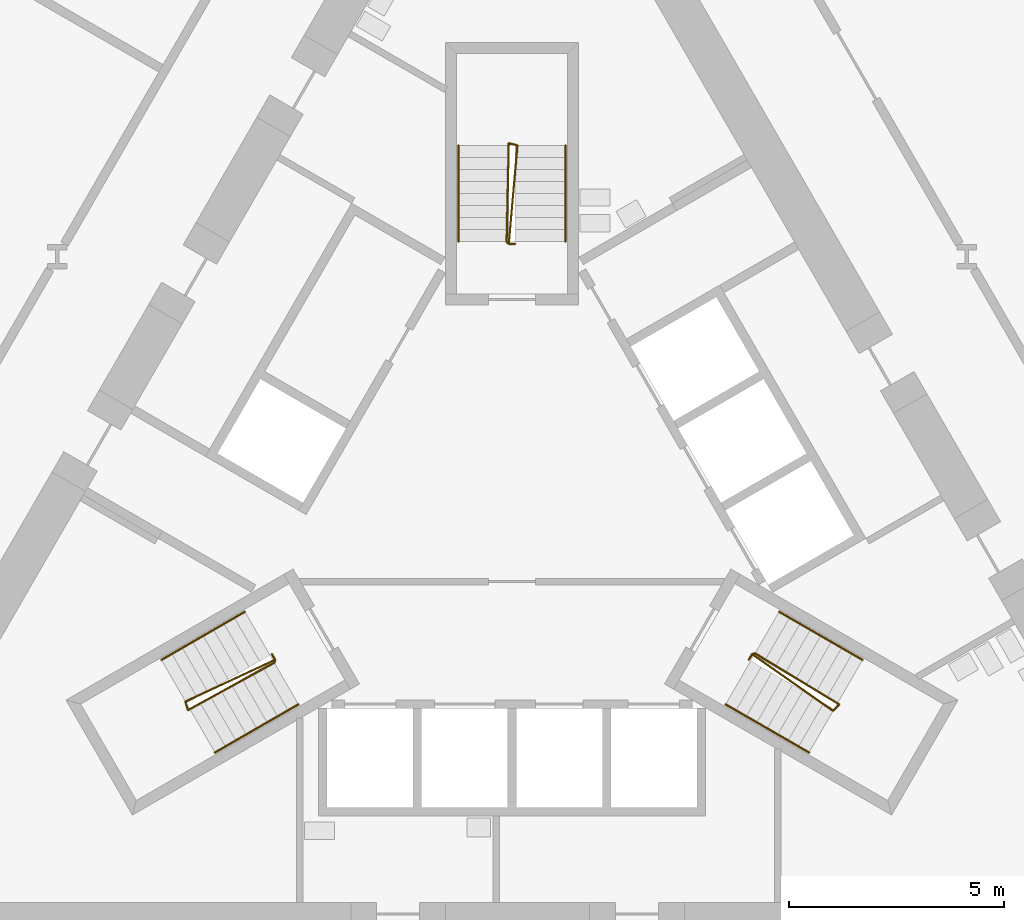
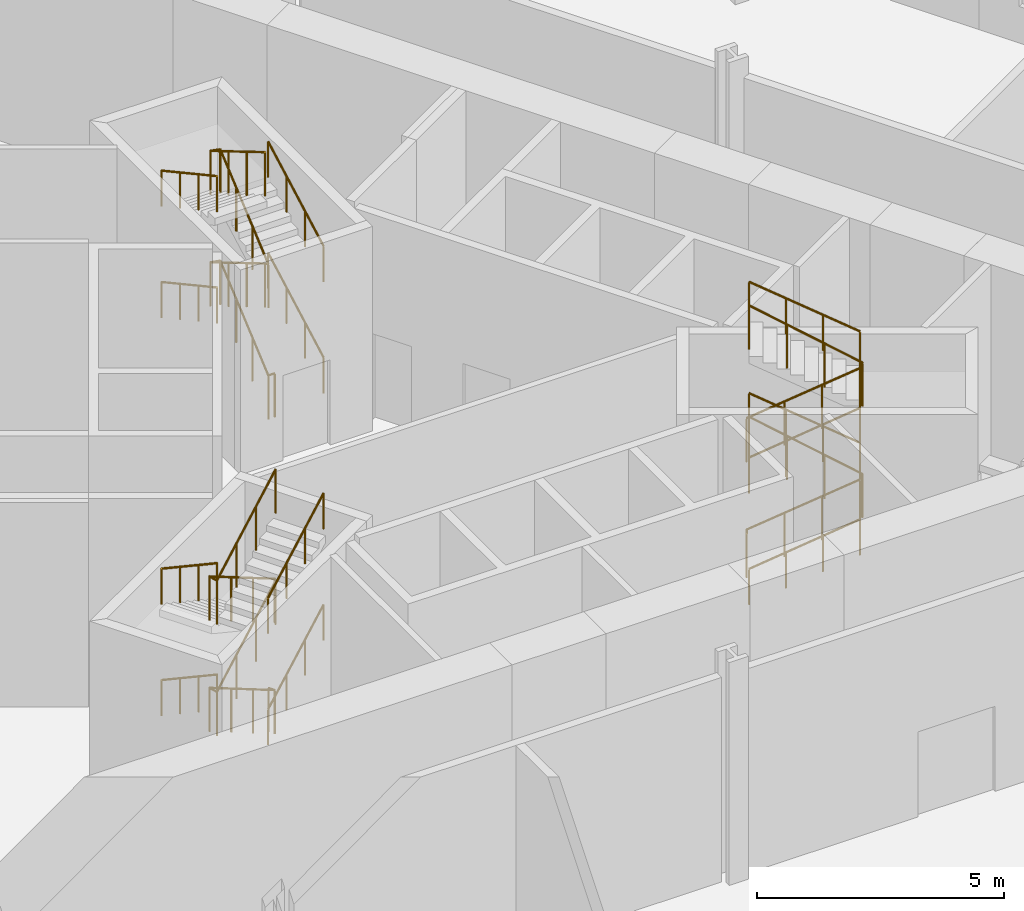
# One storey, part 7 of 9: 15 railings.
"""IFC4 building model written with IfcOpenShell, lengths in metres."""

import ifcopenshell
import ifcopenshell.guid

model = None  # the IFC model being written
_history = None  # IfcOwnerHistory: only IFC2X3 demands one
_inside = {}  # id of a spatial element -> (the spatial element, [elements in it])
_under = {}  # id of a project, library or spatial element -> (it, [spatial elements below it])
_declared = {}  # id of a project -> (the project, [libraries it declares])
_typed = {}  # id of a type object -> (the type object, [elements of that type])
_made_of = {}  # id of a material, layer set ... -> (it, [elements and type objects made of it])


def new_model(schema):
    """Start an empty IFC model of exactly this schema.

    Asked for "IFC4X3", IfcOpenShell would pick the latest addendum, in which some entities
    have other attributes; the version numbers below select the first issue.
    IFC2X3 requires an IfcOwnerHistory on every rooted entity: one is made here for all.
    """
    global model, _history
    if schema == "IFC4X3":
        model = ifcopenshell.file(schema_version=(4, 3, 0, 0))
    else:
        model = ifcopenshell.file(schema=schema)
    _inside.clear()
    _under.clear()
    _declared.clear()
    _typed.clear()
    _made_of.clear()
    _history = None
    if model.schema == "IFC2X3":
        org = make("IfcOrganization", Name="unknown")
        user = make(
            "IfcPersonAndOrganization",
            ThePerson=make("IfcPerson", FamilyName="unknown"),
            TheOrganization=org,
        )
        app = make(
            "IfcApplication",
            ApplicationDeveloper=org,
            Version="unknown",
            ApplicationFullName="unknown",
            ApplicationIdentifier="unknown",
        )
        _history = make(
            "IfcOwnerHistory",
            OwningUser=user,
            OwningApplication=app,
            ChangeAction="ADDED",
            CreationDate=0,
        )
    return model


def make(cls, **values):
    """One entity of the class cls with the attributes given. An attribute that is None is left unset."""
    return model.create_entity(
        cls, **{name: value for name, value in values.items() if value is not None}
    )


def rooted(cls, **values):
    """An entity with a GlobalId (a new one), such as an element, a storey or a relation."""
    return make(cls, GlobalId=ifcopenshell.guid.new(), OwnerHistory=_history, **values)


def si_unit(unit_type, name, prefix=None):
    """IfcSIUnit, for example si_unit("LENGTHUNIT", "METRE", prefix="MILLI")."""
    return make("IfcSIUnit", UnitType=unit_type, Prefix=prefix, Name=name)


def assignment(units):
    """IfcUnitAssignment: the units of a project."""
    return None if units is None else make("IfcUnitAssignment", Units=units)


def point(xyz):
    """IfcCartesianPoint."""
    return None if xyz is None else make("IfcCartesianPoint", Coordinates=xyz)


def direction(xyz):
    """IfcDirection."""
    return None if xyz is None else make("IfcDirection", DirectionRatios=xyz)


def frame(location, z_axis=None, x_axis=None):
    """IfcAxis2Placement3D, a coordinate frame: its origin and axes. An axis left out is left unset."""
    return make(
        "IfcAxis2Placement3D",
        Location=point(location),
        Axis=direction(z_axis),
        RefDirection=direction(x_axis),
    )


def frame_2d(location, x_axis=None):
    """IfcAxis2Placement2D, a coordinate frame in the plane: its origin and x axis."""
    return make(
        "IfcAxis2Placement2D", Location=point(location), RefDirection=direction(x_axis)
    )


def origin():
    """The frame at (0, 0, 0) with its axes left unset."""
    return frame((0.0, 0.0, 0.0))


def origin_2d():
    """The frame at (0, 0) in the plane with its x axis left unset."""
    return frame_2d((0.0, 0.0))


def place(relative_to, where):
    """IfcLocalPlacement: puts the frame where relative to a parent placement (None: the world)."""
    return make(
        "IfcLocalPlacement", PlacementRelTo=relative_to, RelativePlacement=where
    )


def context(
    kind, dimensions, precision=None, world=None, true_north=None, identifier=None
):
    """IfcGeometricRepresentationContext, for example the 3D "Model" context."""
    return make(
        "IfcGeometricRepresentationContext",
        ContextIdentifier=identifier,
        ContextType=kind,
        CoordinateSpaceDimension=dimensions,
        Precision=precision,
        WorldCoordinateSystem=world,
        TrueNorth=true_north,
    )


def subcontext(parent, identifier, kind, view, scale=None):
    """IfcGeometricRepresentationSubContext, for example "Body" below "Model"."""
    return make(
        "IfcGeometricRepresentationSubContext",
        ContextIdentifier=identifier,
        ContextType=kind,
        ParentContext=parent,
        TargetScale=scale,
        TargetView=view,
    )


def project(units=None, contexts=None):
    """IfcProject with its units and contexts."""
    return rooted(
        "IfcProject",
        Name="project",
        RepresentationContexts=contexts,
        UnitsInContext=assignment(units),
    )


def spatial(cls, under=None, at=None, **own):
    """A site, building, storey or space (cls), placed at a placement, below another one or the project."""
    s = rooted(cls, ObjectPlacement=at, **own)
    if under is not None:
        _under.setdefault(under.id(), (under, []))[1].append(s)
    return s


def profile(cls, at=None, kind="AREA", **sizes):
    """A parametric profile (cls). Its sizes go by their IFC names, for example OverallWidth=200.0."""
    return make(cls, ProfileType=kind, Position=at, **sizes)


def circle(**sizes):
    """IfcCircleProfileDef."""
    return profile("IfcCircleProfileDef", **sizes)


def extrude(swept, where, along, depth):
    """IfcExtrudedAreaSolid: the profile swept, set in the frame where, extruded along a direction by depth."""
    return make(
        "IfcExtrudedAreaSolid",
        SweptArea=swept,
        Position=where,
        ExtrudedDirection=direction(along),
        Depth=depth,
    )


def shape(context_of_items, identifier, shape_type, items):
    """IfcShapeRepresentation: the items that make up one representation, for example the "Body"."""
    return make(
        "IfcShapeRepresentation",
        ContextOfItems=context_of_items,
        RepresentationIdentifier=identifier,
        RepresentationType=shape_type,
        Items=items,
    )


def material(Name=None, Category=None):
    """IfcMaterial."""
    return make("IfcMaterial", Name=Name, Category=Category)


def made_of(thing, what):
    """Note that an element or type object is made of a material, layer set ...; save() writes the relation."""
    if what is not None:
        _made_of.setdefault(what.id(), (what, []))[1].append(thing)
    return thing


def type_object(cls, material=None, **own):
    """A type object (cls), such as IfcWallType, which elements share."""
    return made_of(rooted(cls, **own), material)


def element(
    cls,
    number,
    at=None,
    inside=None,
    cuts=None,
    type_object=None,
    material=None,
    context=None,
    identifier="Body",
    shape_type=None,
    held_by="IfcProductDefinitionShape",
    body=None,
    shapes=None,
    **own,
):
    """One element of the class cls, such as IfcWall. Its Tag is "e" and its number.

    at: its placement. inside: the storey or other place that contains it. cuts: it is an
    opening in that element (IfcRelVoidsElement). A single representation is given by context,
    identifier, shape_type and body (its items); several are given by shapes. held_by: the class
    of the entity that holds the representations. save() writes the other relations.
    """
    e = rooted(cls, Tag="e%d" % number, ObjectPlacement=at, **own)
    if body is not None:
        shapes = [shape(context, identifier, shape_type, body)]
    if shapes is not None:
        e.Representation = make(held_by, Representations=shapes)
    if inside is not None:
        _inside.setdefault(inside.id(), (inside, []))[1].append(e)
    if cuts is not None:
        rooted(
            "IfcRelVoidsElement", RelatingBuildingElement=cuts, RelatedOpeningElement=e
        )
    if type_object is not None:
        _typed.setdefault(type_object.id(), (type_object, []))[1].append(e)
    return made_of(e, material)


def aggregate(whole, parts):
    """IfcRelAggregates: a whole, such as a stair, and the parts it consists of."""
    return rooted("IfcRelAggregates", RelatingObject=whole, RelatedObjects=parts)


def save(model, path):
    """Write the relations noted so far, then the file.

    IfcRelAggregates (storeys below a building ...), IfcRelContainedInSpatialStructure (elements
    in a storey), IfcRelDefinesByType, IfcRelAssociatesMaterial and IfcRelDeclares: one each for
    every whole, place, type object, material and project.
    """
    for whole, parts in _under.values():
        aggregate(whole, parts)
    for where, things in _inside.values():
        rooted(
            "IfcRelContainedInSpatialStructure",
            RelatedElements=things,
            RelatingStructure=where,
        )
    for kind, things in _typed.values():
        rooted("IfcRelDefinesByType", RelatedObjects=things, RelatingType=kind)
    for what, things in _made_of.values():
        rooted("IfcRelAssociatesMaterial", RelatedObjects=things, RelatingMaterial=what)
    for by, libraries in _declared.values():
        rooted("IfcRelDeclares", RelatingContext=by, RelatedDefinitions=libraries)
    model.write(path)


model = new_model("IFC4")

# Units and contexts
model_context = context("Model", 3, precision=1e-05, world=origin(), true_north=direction((0.0, 1.0)))
body_context = subcontext(model_context, "Body", "Model", "MODEL_VIEW")
ifc_project = project(units=[si_unit("LENGTHUNIT", "METRE"), si_unit("AREAUNIT", "SQUARE_METRE"), si_unit("VOLUMEUNIT", "CUBIC_METRE"), si_unit("PLANEANGLEUNIT", "RADIAN"), si_unit("MASSUNIT", "GRAM", prefix="KILO")], contexts=[model_context])

# Site, building, storey
site_placement = place(None, origin())
site = spatial("IfcSite", under=ifc_project, at=site_placement, CompositionType="ELEMENT")
building_placement = place(site_placement, origin())
building = spatial("IfcBuilding", under=site, at=building_placement, Name="Cormorant Prow Tower", CompositionType="ELEMENT")
storey_placement = place(building_placement, frame((0.0, 0.0, 15.5)))
storey = spatial("IfcBuildingStorey", under=building, at=storey_placement, Name="L02", CompositionType="ELEMENT", Elevation=15.5)

# Railings
ifc_material_1 = material(Name="Stainless steel", Category="steel")
railing_type_1 = type_object("IfcRailingType", Name="Stair guard 1100", PredefinedType="GUARDRAIL", material=ifc_material_1)
railing_1_placement = place(storey_placement, frame((-5.585205078125, -3.137939453125, 0.0)))
element("IfcRailing", 1, at=railing_1_placement, inside=storey, type_object=railing_type_1, Name="L02 ST1 stair guard 1", PredefinedType="GUARDRAIL", context=body_context, shape_type="SweptSolid", body=[
    extrude(circle(Radius=0.02392578125, at=origin_2d()), frame((0.0, 0.0, 1.076171875), z_axis=(0.501036270542, -0.865426285481, 0.0), x_axis=(0.865426285481, 0.501036270542, 0.0)), (0.0, 0.0, 1.0), 0.150146484375),
    extrude(circle(Radius=0.02392578125, at=origin_2d()), frame((0.0751953125, -0.1298828125, 1.076171875), z_axis=(-0.777722750483, -0.362840064417, 0.513317066767), x_axis=(0.422792438952, -0.906226546491, 0.0)), (0.0, 0.0, 1.0), 2.6787109375),
    extrude(circle(Radius=0.02392578125, at=origin_2d()), frame((-2.008056640625, -1.101806640625, 2.451171875), z_axis=(0.275034262293, -0.961434425515, 0.0), x_axis=(0.961434425515, 0.275034262293, 0.0)), (0.0, 0.0, 1.0), 0.2060546875),
    extrude(circle(Radius=0.02392578125, at=origin_2d()), frame((-1.951416015625, -1.2998046875, 2.451171875), z_axis=(0.751727878227, 0.412326305198, 0.514676806489), x_axis=(-0.480911908544, 0.87676891837, 0.0)), (0.0, 0.0, 1.0), 2.671630859375),
    extrude(circle(Radius=0.02392578125, at=origin_2d()), frame((0.056884765625, -0.1982421875, 3.826171875), z_axis=(0.258736085224, 0.965948051503, 0.0), x_axis=(-0.965948051503, 0.258736085224, 0.0)), (0.0, 0.0, 1.0), 0.07080078125),
    extrude(circle(Radius=0.02392578125, at=origin_2d()), frame((0.0751953125, -0.1298828125, 3.826171875), z_axis=(-0.777722750483, -0.362840064417, 0.513317066767), x_axis=(0.422792438952, -0.906226546491, 0.0)), (0.0, 0.0, 1.0), 2.6787109375),
    extrude(circle(Radius=0.02392578125, at=origin_2d()), frame((-2.008056640625, -1.101806640625, 5.201171875), z_axis=(0.275034262293, -0.961434425515, 0.0), x_axis=(0.961434425515, 0.275034262293, 0.0)), (0.0, 0.0, 1.0), 0.2060546875),
    extrude(circle(Radius=0.02392578125, at=origin_2d()), frame((-1.951416015625, -1.2998046875, 5.201171875), z_axis=(0.751727878227, 0.412326305198, 0.514676806489), x_axis=(-0.480911908544, 0.87676891837, 0.0)), (0.0, 0.0, 1.0), 2.671630859375),
    extrude(circle(Radius=0.02099609375, at=origin_2d()), origin(), (0.0, 0.0, 1.0), 1.052001953125),
    extrude(circle(Radius=0.02099609375, at=origin_2d()), frame((0.0751953125, -0.1298828125, 0.0)), (0.0, 0.0, 1.0), 1.052001953125),
    extrude(circle(Radius=0.02099609375, at=origin_2d()), frame((-0.619140625, -0.453857421875, 0.458251953125)), (0.0, 0.0, 1.0), 1.052001953125),
    extrude(circle(Radius=0.02099609375, at=origin_2d()), frame((-1.313720703125, -0.77783203125, 0.916748046875)), (0.0, 0.0, 1.0), 1.052001953125),
    extrude(circle(Radius=0.02099609375, at=origin_2d()), frame((-2.008056640625, -1.101806640625, 1.375)), (0.0, 0.0, 1.0), 1.052001953125),
    extrude(circle(Radius=0.02099609375, at=origin_2d()), frame((-1.951416015625, -1.2998046875, 1.375)), (0.0, 0.0, 1.0), 1.052001953125),
    extrude(circle(Radius=0.02099609375, at=origin_2d()), frame((-1.281982421875, -0.9326171875, 1.833251953125)), (0.0, 0.0, 1.0), 1.052001953125),
    extrude(circle(Radius=0.02099609375, at=origin_2d()), frame((-0.612548828125, -0.5654296875, 2.291748046875)), (0.0, 0.0, 1.0), 1.052001953125),
    extrude(circle(Radius=0.02099609375, at=origin_2d()), frame((0.056884765625, -0.1982421875, 2.75)), (0.0, 0.0, 1.0), 1.052001953125),
    extrude(circle(Radius=0.02099609375, at=origin_2d()), frame((0.0751953125, -0.1298828125, 2.75)), (0.0, 0.0, 1.0), 1.052001953125),
    extrude(circle(Radius=0.02099609375, at=origin_2d()), frame((-0.619140625, -0.453857421875, 3.208251953125)), (0.0, 0.0, 1.0), 1.052001953125),
    extrude(circle(Radius=0.02099609375, at=origin_2d()), frame((-1.313720703125, -0.77783203125, 3.666748046875)), (0.0, 0.0, 1.0), 1.052001953125),
    extrude(circle(Radius=0.02099609375, at=origin_2d()), frame((-2.008056640625, -1.101806640625, 4.125)), (0.0, 0.0, 1.0), 1.052001953125),
    extrude(circle(Radius=0.02099609375, at=origin_2d()), frame((-1.951416015625, -1.2998046875, 4.125)), (0.0, 0.0, 1.0), 1.052001953125),
    extrude(circle(Radius=0.02099609375, at=origin_2d()), frame((-1.281982421875, -0.9326171875, 4.583251953125)), (0.0, 0.0, 1.0), 1.052001953125),
    extrude(circle(Radius=0.02099609375, at=origin_2d()), frame((-0.612548828125, -0.5654296875, 5.041748046875)), (0.0, 0.0, 1.0), 1.052001953125),
    extrude(circle(Radius=0.02099609375, at=origin_2d()), frame((0.056884765625, -0.1982421875, 5.5)), (0.0, 0.0, 1.0), 1.052001953125),
])
railing_2_placement = place(storey_placement, frame((5.510009765625, -3.267822265625, 0.0)))
element("IfcRailing", 2, at=railing_2_placement, inside=storey, type_object=railing_type_1, Name="L02 ST2 stair guard 1", PredefinedType="GUARDRAIL", context=body_context, shape_type="SweptSolid", body=[
    extrude(circle(Radius=0.02392578125, at=origin_2d()), frame((0.0, 0.0, 1.076171875), z_axis=(0.501036270542, 0.865426285481, 0.0), x_axis=(-0.865426285481, 0.501036270542, 0.0)), (0.0, 0.0, 1.0), 0.150146484375),
    extrude(circle(Radius=0.02392578125, at=origin_2d()), frame((0.0751953125, 0.1298828125, 1.076171875), z_axis=(0.703046510183, -0.492123442043, 0.513361590218), x_axis=(0.573455215813, 0.819236910458, 0.0)), (0.0, 0.0, 1.0), 2.678466796875),
    extrude(circle(Radius=0.02392578125, at=origin_2d()), frame((1.958251953125, -1.188232421875, 2.451171875), z_axis=(0.695164929852, 0.718850276695, 0.0), x_axis=(-0.718850276695, 0.695164929852, 0.0)), (0.0, 0.0, 1.0), 0.2060546875),
    extrude(circle(Radius=0.02392578125, at=origin_2d()), frame((2.1015625, -1.0400390625, 2.451171875), z_axis=(-0.732997417253, 0.444769783041, 0.51467914898), x_axis=(-0.518752825935, -0.854924268918, 0.0)), (0.0, 0.0, 1.0), 2.671630859375),
    extrude(circle(Radius=0.02392578125, at=origin_2d()), frame((0.143310546875, 0.148193359375, 3.826171875), z_axis=(-0.965715946433, -0.259601060869, 0.0), x_axis=(0.259601060869, -0.965715946433, 0.0)), (0.0, 0.0, 1.0), 0.070556640625),
    extrude(circle(Radius=0.02392578125, at=origin_2d()), frame((0.0751953125, 0.1298828125, 3.826171875), z_axis=(0.703046510183, -0.492123442043, 0.513361590218), x_axis=(0.573455215813, 0.819236910458, 0.0)), (0.0, 0.0, 1.0), 2.678466796875),
    extrude(circle(Radius=0.02392578125, at=origin_2d()), frame((1.958251953125, -1.188232421875, 5.201171875), z_axis=(0.695164929852, 0.718850276695, 0.0), x_axis=(-0.718850276695, 0.695164929852, 0.0)), (0.0, 0.0, 1.0), 0.2060546875),
    extrude(circle(Radius=0.02392578125, at=origin_2d()), frame((2.1015625, -1.0400390625, 5.201171875), z_axis=(-0.732997417253, 0.444769783041, 0.51467914898), x_axis=(-0.518752825935, -0.854924268918, 0.0)), (0.0, 0.0, 1.0), 2.671630859375),
    extrude(circle(Radius=0.02099609375, at=origin_2d()), origin(), (0.0, 0.0, 1.0), 1.052001953125),
    extrude(circle(Radius=0.02099609375, at=origin_2d()), frame((0.0751953125, 0.1298828125, 0.0)), (0.0, 0.0, 1.0), 1.052001953125),
    extrude(circle(Radius=0.02099609375, at=origin_2d()), frame((0.702880859375, -0.3095703125, 0.458251953125)), (0.0, 0.0, 1.0), 1.052001953125),
    extrude(circle(Radius=0.02099609375, at=origin_2d()), frame((1.33056640625, -0.748779296875, 0.916748046875)), (0.0, 0.0, 1.0), 1.052001953125),
    extrude(circle(Radius=0.02099609375, at=origin_2d()), frame((1.958251953125, -1.188232421875, 1.375)), (0.0, 0.0, 1.0), 1.052001953125),
    extrude(circle(Radius=0.02099609375, at=origin_2d()), frame((2.1015625, -1.0400390625, 1.375)), (0.0, 0.0, 1.0), 1.052001953125),
    extrude(circle(Radius=0.02099609375, at=origin_2d()), frame((1.44873046875, -0.64404296875, 1.833251953125)), (0.0, 0.0, 1.0), 1.052001953125),
    extrude(circle(Radius=0.02099609375, at=origin_2d()), frame((0.796142578125, -0.247802734375, 2.291748046875)), (0.0, 0.0, 1.0), 1.052001953125),
    extrude(circle(Radius=0.02099609375, at=origin_2d()), frame((0.143310546875, 0.148193359375, 2.75)), (0.0, 0.0, 1.0), 1.052001953125),
    extrude(circle(Radius=0.02099609375, at=origin_2d()), frame((0.0751953125, 0.1298828125, 2.75)), (0.0, 0.0, 1.0), 1.052001953125),
    extrude(circle(Radius=0.02099609375, at=origin_2d()), frame((0.702880859375, -0.3095703125, 3.208251953125)), (0.0, 0.0, 1.0), 1.052001953125),
    extrude(circle(Radius=0.02099609375, at=origin_2d()), frame((1.33056640625, -0.748779296875, 3.666748046875)), (0.0, 0.0, 1.0), 1.052001953125),
    extrude(circle(Radius=0.02099609375, at=origin_2d()), frame((1.958251953125, -1.188232421875, 4.125)), (0.0, 0.0, 1.0), 1.052001953125),
    extrude(circle(Radius=0.02099609375, at=origin_2d()), frame((2.1015625, -1.0400390625, 4.125)), (0.0, 0.0, 1.0), 1.052001953125),
    extrude(circle(Radius=0.02099609375, at=origin_2d()), frame((1.44873046875, -0.64404296875, 4.583251953125)), (0.0, 0.0, 1.0), 1.052001953125),
    extrude(circle(Radius=0.02099609375, at=origin_2d()), frame((0.796142578125, -0.247802734375, 5.041748046875)), (0.0, 0.0, 1.0), 1.052001953125),
    extrude(circle(Radius=0.02099609375, at=origin_2d()), frame((0.143310546875, 0.148193359375, 5.5)), (0.0, 0.0, 1.0), 1.052001953125),
])
railing_3_placement = place(storey_placement, frame((0.074951171875, 6.40576171875, 0.0)))
element("IfcRailing", 3, at=railing_3_placement, inside=storey, type_object=railing_type_1, Name="L02 ST3 stair guard 1", PredefinedType="GUARDRAIL", context=body_context, shape_type="SweptSolid", body=[
    extrude(circle(Radius=0.02392578125, at=origin_2d()), frame((0.0, 0.0, 1.076171875), z_axis=(-1.0, 0.0, 0.0), x_axis=(0.0, -1.0, 0.0)), (0.0, 0.0, 1.0), 0.14990234375),
    extrude(circle(Radius=0.02392578125, at=origin_2d()), frame((-0.14990234375, 0.0, 1.076171875), z_axis=(0.074647711907, 0.854939606461, 0.513328343666), x_axis=(-0.996209839609, 0.086982500921, 0.0)), (0.0, 0.0, 1.0), 2.6787109375),
    extrude(circle(Radius=0.02392578125, at=origin_2d()), frame((0.050048828125, 2.2900390625, 2.451171875), z_axis=(-0.970072785993, 0.242814311512, 0.0), x_axis=(-0.242814311512, -0.970072785993, 0.0)), (0.0, 0.0, 1.0), 0.2060546875),
    extrude(circle(Radius=0.02392578125, at=origin_2d()), frame((-0.14990234375, 2.340087890625, 2.451171875), z_axis=(-0.018733702852, -0.857181135376, 0.514674216891), x_axis=(0.999761264773, -0.0218497931, 0.0)), (0.0, 0.0, 1.0), 2.671630859375),
    extrude(circle(Radius=0.02392578125, at=origin_2d()), frame((-0.199951171875, 0.050048828125, 3.826171875), z_axis=(0.707106781187, -0.707106781187, 0.0), x_axis=(0.707106781187, 0.707106781187, 0.0)), (0.0, 0.0, 1.0), 0.07080078125),
    extrude(circle(Radius=0.02392578125, at=origin_2d()), frame((-0.14990234375, 0.0, 3.826171875), z_axis=(0.074647711907, 0.854939606461, 0.513328343666), x_axis=(-0.996209839609, 0.086982500921, 0.0)), (0.0, 0.0, 1.0), 2.6787109375),
    extrude(circle(Radius=0.02392578125, at=origin_2d()), frame((0.050048828125, 2.2900390625, 5.201171875), z_axis=(-0.970072785993, 0.242814311512, 0.0), x_axis=(-0.242814311512, -0.970072785993, 0.0)), (0.0, 0.0, 1.0), 0.2060546875),
    extrude(circle(Radius=0.02392578125, at=origin_2d()), frame((-0.14990234375, 2.340087890625, 5.201171875), z_axis=(-0.018733702852, -0.857181135376, 0.514674216891), x_axis=(0.999761264773, -0.0218497931, 0.0)), (0.0, 0.0, 1.0), 2.671630859375),
    extrude(circle(Radius=0.02099609375, at=origin_2d()), origin(), (0.0, 0.0, 1.0), 1.052001953125),
    extrude(circle(Radius=0.02099609375, at=origin_2d()), frame((-0.14990234375, 0.0, 0.0)), (0.0, 0.0, 1.0), 1.052001953125),
    extrude(circle(Radius=0.02099609375, at=origin_2d()), frame((-0.083251953125, 0.763427734375, 0.458251953125)), (0.0, 0.0, 1.0), 1.052001953125),
    extrude(circle(Radius=0.02099609375, at=origin_2d()), frame((-0.0166015625, 1.526611328125, 0.916748046875)), (0.0, 0.0, 1.0), 1.052001953125),
    extrude(circle(Radius=0.02099609375, at=origin_2d()), frame((0.050048828125, 2.2900390625, 1.375)), (0.0, 0.0, 1.0), 1.052001953125),
    extrude(circle(Radius=0.02099609375, at=origin_2d()), frame((-0.14990234375, 2.340087890625, 1.375)), (0.0, 0.0, 1.0), 1.052001953125),
    extrude(circle(Radius=0.02099609375, at=origin_2d()), frame((-0.16650390625, 1.57666015625, 1.833251953125)), (0.0, 0.0, 1.0), 1.052001953125),
    extrude(circle(Radius=0.02099609375, at=origin_2d()), frame((-0.183349609375, 0.8134765625, 2.291748046875)), (0.0, 0.0, 1.0), 1.052001953125),
    extrude(circle(Radius=0.02099609375, at=origin_2d()), frame((-0.199951171875, 0.050048828125, 2.75)), (0.0, 0.0, 1.0), 1.052001953125),
    extrude(circle(Radius=0.02099609375, at=origin_2d()), frame((-0.14990234375, 0.0, 2.75)), (0.0, 0.0, 1.0), 1.052001953125),
    extrude(circle(Radius=0.02099609375, at=origin_2d()), frame((-0.083251953125, 0.763427734375, 3.208251953125)), (0.0, 0.0, 1.0), 1.052001953125),
    extrude(circle(Radius=0.02099609375, at=origin_2d()), frame((-0.0166015625, 1.526611328125, 3.666748046875)), (0.0, 0.0, 1.0), 1.052001953125),
    extrude(circle(Radius=0.02099609375, at=origin_2d()), frame((0.050048828125, 2.2900390625, 4.125)), (0.0, 0.0, 1.0), 1.052001953125),
    extrude(circle(Radius=0.02099609375, at=origin_2d()), frame((-0.14990234375, 2.340087890625, 4.125)), (0.0, 0.0, 1.0), 1.052001953125),
    extrude(circle(Radius=0.02099609375, at=origin_2d()), frame((-0.16650390625, 1.57666015625, 4.583251953125)), (0.0, 0.0, 1.0), 1.052001953125),
    extrude(circle(Radius=0.02099609375, at=origin_2d()), frame((-0.183349609375, 0.8134765625, 5.041748046875)), (0.0, 0.0, 1.0), 1.052001953125),
    extrude(circle(Radius=0.02099609375, at=origin_2d()), frame((-0.199951171875, 0.050048828125, 5.5)), (0.0, 0.0, 1.0), 1.052001953125),
])
ifc_material_2 = material(Name="Stainless steel", Category="steel")
railing_type_2 = type_object("IfcRailingType", Name="Stair handrail 900", PredefinedType="HANDRAIL", material=ifc_material_2)
railing_4_placement = place(storey_placement, frame((-6.212890625, -2.150634765625, 0.15283203125)))
element("IfcRailing", 4, at=railing_4_placement, inside=storey, type_object=railing_type_2, Name="L02 ST1 stair handrail 1", PredefinedType="HANDRAIL", context=body_context, shape_type="SweptSolid", body=[
    extrude(circle(Radius=0.02392578125, at=origin_2d()), frame((0.0, 0.0, 0.8759765625), z_axis=(-0.760253918293, -0.438872983037, 0.478961882076), x_axis=(0.49994888933, -0.866054910533, 0.0)), (0.0, 0.0, 1.0), 2.5517578125),
    extrude(circle(Radius=0.02099609375, at=origin_2d()), origin(), (0.0, 0.0, 1.0), 0.851806640625),
    extrude(circle(Radius=0.02099609375, at=origin_2d()), frame((-0.646728515625, -0.373291015625, 0.407470703125)), (0.0, 0.0, 1.0), 0.851806640625),
    extrude(circle(Radius=0.02099609375, at=origin_2d()), frame((-1.293212890625, -0.74658203125, 0.814697265625)), (0.0, 0.0, 1.0), 0.851806640625),
    extrude(circle(Radius=0.02099609375, at=origin_2d()), frame((-1.93994140625, -1.119873046875, 1.22216796875)), (0.0, 0.0, 1.0), 0.851806640625),
])
railing_5_placement = place(storey_placement, frame((-6.90869140625, -5.42529296875, 1.52783203125)))
element("IfcRailing", 5, at=railing_5_placement, inside=storey, type_object=railing_type_2, Name="L02 ST1 stair handrail 2", PredefinedType="HANDRAIL", context=body_context, shape_type="SweptSolid", body=[
    extrude(circle(Radius=0.02392578125, at=origin_2d()), frame((0.0, 0.0, 0.8759765625), z_axis=(0.760181608912, 0.438982155027, 0.478976605942), x_axis=(-0.500077830873, 0.865980463445, 0.0)), (0.0, 0.0, 1.0), 2.551513671875),
    extrude(circle(Radius=0.02099609375, at=origin_2d()), origin(), (0.0, 0.0, 1.0), 0.851806640625),
    extrude(circle(Radius=0.02099609375, at=origin_2d()), frame((0.646484375, 0.373291015625, 0.407470703125)), (0.0, 0.0, 1.0), 0.851806640625),
    extrude(circle(Radius=0.02099609375, at=origin_2d()), frame((1.293212890625, 0.746826171875, 0.814697265625)), (0.0, 0.0, 1.0), 0.851806640625),
    extrude(circle(Radius=0.02099609375, at=origin_2d()), frame((1.939697265625, 1.1201171875, 1.22216796875)), (0.0, 0.0, 1.0), 0.851806640625),
])
railing_6_placement = place(storey_placement, frame((-6.212890625, -2.150634765625, 2.90283203125)))
element("IfcRailing", 6, at=railing_6_placement, inside=storey, type_object=railing_type_2, Name="L02 ST1 stair handrail 3", PredefinedType="HANDRAIL", context=body_context, shape_type="SweptSolid", body=[
    extrude(circle(Radius=0.02392578125, at=origin_2d()), frame((0.0, 0.0, 0.8759765625), z_axis=(-0.760253918293, -0.438872983037, 0.478961882076), x_axis=(0.49994888933, -0.866054910533, 0.0)), (0.0, 0.0, 1.0), 2.5517578125),
    extrude(circle(Radius=0.02099609375, at=origin_2d()), origin(), (0.0, 0.0, 1.0), 0.851806640625),
    extrude(circle(Radius=0.02099609375, at=origin_2d()), frame((-0.646728515625, -0.373291015625, 0.407470703125)), (0.0, 0.0, 1.0), 0.851806640625),
    extrude(circle(Radius=0.02099609375, at=origin_2d()), frame((-1.293212890625, -0.74658203125, 0.814697265625)), (0.0, 0.0, 1.0), 0.851806640625),
    extrude(circle(Radius=0.02099609375, at=origin_2d()), frame((-1.93994140625, -1.119873046875, 1.22216796875)), (0.0, 0.0, 1.0), 0.851806640625),
])
railing_7_placement = place(storey_placement, frame((-6.90869140625, -5.42529296875, 4.27783203125)))
element("IfcRailing", 7, at=railing_7_placement, inside=storey, type_object=railing_type_2, Name="L02 ST1 stair handrail 4", PredefinedType="HANDRAIL", context=body_context, shape_type="SweptSolid", body=[
    extrude(circle(Radius=0.02392578125, at=origin_2d()), frame((0.0, 0.0, 0.8759765625), z_axis=(0.760181608912, 0.438982155027, 0.478976605942), x_axis=(-0.500077830873, 0.865980463445, 0.0)), (0.0, 0.0, 1.0), 2.551513671875),
    extrude(circle(Radius=0.02099609375, at=origin_2d()), origin(), (0.0, 0.0, 1.0), 0.851806640625),
    extrude(circle(Radius=0.02099609375, at=origin_2d()), frame((0.646484375, 0.373291015625, 0.407470703125)), (0.0, 0.0, 1.0), 0.851806640625),
    extrude(circle(Radius=0.02099609375, at=origin_2d()), frame((1.293212890625, 0.746826171875, 0.814697265625)), (0.0, 0.0, 1.0), 0.851806640625),
    extrude(circle(Radius=0.02099609375, at=origin_2d()), frame((1.939697265625, 1.1201171875, 1.22216796875)), (0.0, 0.0, 1.0), 0.851806640625),
])
railing_8_placement = place(storey_placement, frame((4.968994140625, -4.30517578125, 0.15283203125)))
element("IfcRailing", 8, at=railing_8_placement, inside=storey, type_object=railing_type_2, Name="L02 ST2 stair handrail 1", PredefinedType="HANDRAIL", context=body_context, shape_type="SweptSolid", body=[
    extrude(circle(Radius=0.02392578125, at=origin_2d()), frame((0.0, 0.0, 0.8759765625), z_axis=(0.760181608912, -0.438982155027, 0.478976605942), x_axis=(0.500077830873, 0.865980463445, 0.0)), (0.0, 0.0, 1.0), 2.551513671875),
    extrude(circle(Radius=0.02099609375, at=origin_2d()), origin(), (0.0, 0.0, 1.0), 0.851806640625),
    extrude(circle(Radius=0.02099609375, at=origin_2d()), frame((0.646484375, -0.373291015625, 0.407470703125)), (0.0, 0.0, 1.0), 0.851806640625),
    extrude(circle(Radius=0.02099609375, at=origin_2d()), frame((1.293212890625, -0.746826171875, 0.814697265625)), (0.0, 0.0, 1.0), 0.851806640625),
    extrude(circle(Radius=0.02099609375, at=origin_2d()), frame((1.939697265625, -1.1201171875, 1.22216796875)), (0.0, 0.0, 1.0), 0.851806640625),
])
railing_9_placement = place(storey_placement, frame((8.15283203125, -3.2705078125, 1.52783203125)))
element("IfcRailing", 9, at=railing_9_placement, inside=storey, type_object=railing_type_2, Name="L02 ST2 stair handrail 2", PredefinedType="HANDRAIL", context=body_context, shape_type="SweptSolid", body=[
    extrude(circle(Radius=0.02392578125, at=origin_2d()), frame((0.0, 0.0, 0.8759765625), z_axis=(-0.760253918293, 0.438872983037, 0.478961882076), x_axis=(-0.49994888933, -0.866054910533, 0.0)), (0.0, 0.0, 1.0), 2.5517578125),
    extrude(circle(Radius=0.02099609375, at=origin_2d()), origin(), (0.0, 0.0, 1.0), 0.851806640625),
    extrude(circle(Radius=0.02099609375, at=origin_2d()), frame((-0.646728515625, 0.373291015625, 0.407470703125)), (0.0, 0.0, 1.0), 0.851806640625),
    extrude(circle(Radius=0.02099609375, at=origin_2d()), frame((-1.293212890625, 0.74658203125, 0.814697265625)), (0.0, 0.0, 1.0), 0.851806640625),
    extrude(circle(Radius=0.02099609375, at=origin_2d()), frame((-1.93994140625, 1.119873046875, 1.22216796875)), (0.0, 0.0, 1.0), 0.851806640625),
])
railing_10_placement = place(storey_placement, frame((4.968994140625, -4.30517578125, 2.90283203125)))
element("IfcRailing", 10, at=railing_10_placement, inside=storey, type_object=railing_type_2, Name="L02 ST2 stair handrail 3", PredefinedType="HANDRAIL", context=body_context, shape_type="SweptSolid", body=[
    extrude(circle(Radius=0.02392578125, at=origin_2d()), frame((0.0, 0.0, 0.8759765625), z_axis=(0.760181608912, -0.438982155027, 0.478976605942), x_axis=(0.500077830873, 0.865980463445, 0.0)), (0.0, 0.0, 1.0), 2.551513671875),
    extrude(circle(Radius=0.02099609375, at=origin_2d()), origin(), (0.0, 0.0, 1.0), 0.851806640625),
    extrude(circle(Radius=0.02099609375, at=origin_2d()), frame((0.646484375, -0.373291015625, 0.407470703125)), (0.0, 0.0, 1.0), 0.851806640625),
    extrude(circle(Radius=0.02099609375, at=origin_2d()), frame((1.293212890625, -0.746826171875, 0.814697265625)), (0.0, 0.0, 1.0), 0.851806640625),
    extrude(circle(Radius=0.02099609375, at=origin_2d()), frame((1.939697265625, -1.1201171875, 1.22216796875)), (0.0, 0.0, 1.0), 0.851806640625),
])
railing_11_placement = place(storey_placement, frame((8.15283203125, -3.2705078125, 4.27783203125)))
element("IfcRailing", 11, at=railing_11_placement, inside=storey, type_object=railing_type_2, Name="L02 ST2 stair handrail 4", PredefinedType="HANDRAIL", context=body_context, shape_type="SweptSolid", body=[
    extrude(circle(Radius=0.02392578125, at=origin_2d()), frame((0.0, 0.0, 0.8759765625), z_axis=(-0.760253918293, 0.438872983037, 0.478961882076), x_axis=(-0.49994888933, -0.866054910533, 0.0)), (0.0, 0.0, 1.0), 2.5517578125),
    extrude(circle(Radius=0.02099609375, at=origin_2d()), origin(), (0.0, 0.0, 1.0), 0.851806640625),
    extrude(circle(Radius=0.02099609375, at=origin_2d()), frame((-0.646728515625, 0.373291015625, 0.407470703125)), (0.0, 0.0, 1.0), 0.851806640625),
    extrude(circle(Radius=0.02099609375, at=origin_2d()), frame((-1.293212890625, 0.74658203125, 0.814697265625)), (0.0, 0.0, 1.0), 0.851806640625),
    extrude(circle(Radius=0.02099609375, at=origin_2d()), frame((-1.93994140625, 1.119873046875, 1.22216796875)), (0.0, 0.0, 1.0), 0.851806640625),
])
railing_12_placement = place(storey_placement, frame((1.243896484375, 6.455810546875, 0.15283203125)))
element("IfcRailing", 12, at=railing_12_placement, inside=storey, type_object=railing_type_2, Name="L02 ST3 stair handrail 1", PredefinedType="HANDRAIL", context=body_context, shape_type="SweptSolid", body=[
    extrude(circle(Radius=0.02392578125, at=origin_2d()), frame((0.0, 0.0, 0.8759765625), z_axis=(0.0, 0.87783706319, 0.478959382924), x_axis=(-1.0, 0.0, 0.0)), (0.0, 0.0, 1.0), 2.5517578125),
    extrude(circle(Radius=0.02099609375, at=origin_2d()), origin(), (0.0, 0.0, 1.0), 0.851806640625),
    extrude(circle(Radius=0.02099609375, at=origin_2d()), frame((0.0, 0.74658203125, 0.407470703125)), (0.0, 0.0, 1.0), 0.851806640625),
    extrude(circle(Radius=0.02099609375, at=origin_2d()), frame((0.0, 1.493408203125, 0.814697265625)), (0.0, 0.0, 1.0), 0.851806640625),
    extrude(circle(Radius=0.02099609375, at=origin_2d()), frame((0.0, 2.239990234375, 1.22216796875)), (0.0, 0.0, 1.0), 0.851806640625),
])
railing_13_placement = place(storey_placement, frame((-1.243896484375, 8.69580078125, 1.52783203125)))
element("IfcRailing", 13, at=railing_13_placement, inside=storey, type_object=railing_type_2, Name="L02 ST3 stair handrail 2", PredefinedType="HANDRAIL", context=body_context, shape_type="SweptSolid", body=[
    extrude(circle(Radius=0.02392578125, at=origin_2d()), frame((0.0, 0.0, 0.8759765625), z_axis=(0.0, -0.87783706319, 0.478959382924), x_axis=(1.0, 0.0, 0.0)), (0.0, 0.0, 1.0), 2.5517578125),
    extrude(circle(Radius=0.02099609375, at=origin_2d()), origin(), (0.0, 0.0, 1.0), 0.851806640625),
    extrude(circle(Radius=0.02099609375, at=origin_2d()), frame((0.0, -0.74658203125, 0.407470703125)), (0.0, 0.0, 1.0), 0.851806640625),
    extrude(circle(Radius=0.02099609375, at=origin_2d()), frame((0.0, -1.493408203125, 0.814697265625)), (0.0, 0.0, 1.0), 0.851806640625),
    extrude(circle(Radius=0.02099609375, at=origin_2d()), frame((0.0, -2.239990234375, 1.22216796875)), (0.0, 0.0, 1.0), 0.851806640625),
])
railing_14_placement = place(storey_placement, frame((1.243896484375, 6.455810546875, 2.90283203125)))
element("IfcRailing", 14, at=railing_14_placement, inside=storey, type_object=railing_type_2, Name="L02 ST3 stair handrail 3", PredefinedType="HANDRAIL", context=body_context, shape_type="SweptSolid", body=[
    extrude(circle(Radius=0.02392578125, at=origin_2d()), frame((0.0, 0.0, 0.8759765625), z_axis=(0.0, 0.87783706319, 0.478959382924), x_axis=(-1.0, 0.0, 0.0)), (0.0, 0.0, 1.0), 2.5517578125),
    extrude(circle(Radius=0.02099609375, at=origin_2d()), origin(), (0.0, 0.0, 1.0), 0.851806640625),
    extrude(circle(Radius=0.02099609375, at=origin_2d()), frame((0.0, 0.74658203125, 0.407470703125)), (0.0, 0.0, 1.0), 0.851806640625),
    extrude(circle(Radius=0.02099609375, at=origin_2d()), frame((0.0, 1.493408203125, 0.814697265625)), (0.0, 0.0, 1.0), 0.851806640625),
    extrude(circle(Radius=0.02099609375, at=origin_2d()), frame((0.0, 2.239990234375, 1.22216796875)), (0.0, 0.0, 1.0), 0.851806640625),
])
railing_15_placement = place(storey_placement, frame((-1.243896484375, 8.69580078125, 4.27783203125)))
element("IfcRailing", 15, at=railing_15_placement, inside=storey, type_object=railing_type_2, Name="L02 ST3 stair handrail 4", PredefinedType="HANDRAIL", context=body_context, shape_type="SweptSolid", body=[
    extrude(circle(Radius=0.02392578125, at=origin_2d()), frame((0.0, 0.0, 0.8759765625), z_axis=(0.0, -0.87783706319, 0.478959382924), x_axis=(1.0, 0.0, 0.0)), (0.0, 0.0, 1.0), 2.5517578125),
    extrude(circle(Radius=0.02099609375, at=origin_2d()), origin(), (0.0, 0.0, 1.0), 0.851806640625),
    extrude(circle(Radius=0.02099609375, at=origin_2d()), frame((0.0, -0.74658203125, 0.407470703125)), (0.0, 0.0, 1.0), 0.851806640625),
    extrude(circle(Radius=0.02099609375, at=origin_2d()), frame((0.0, -1.493408203125, 0.814697265625)), (0.0, 0.0, 1.0), 0.851806640625),
    extrude(circle(Radius=0.02099609375, at=origin_2d()), frame((0.0, -2.239990234375, 1.22216796875)), (0.0, 0.0, 1.0), 0.851806640625),
])

save(model, "model.ifc")
